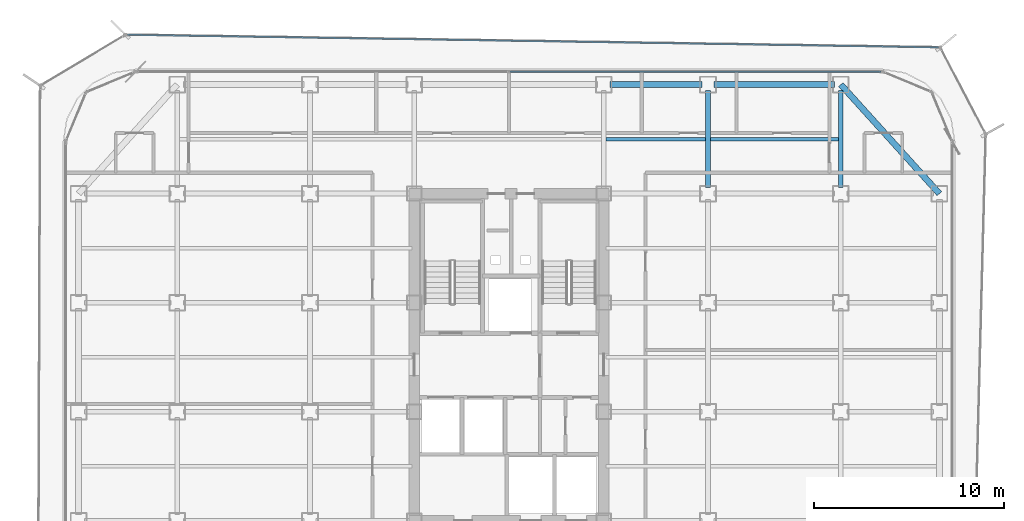
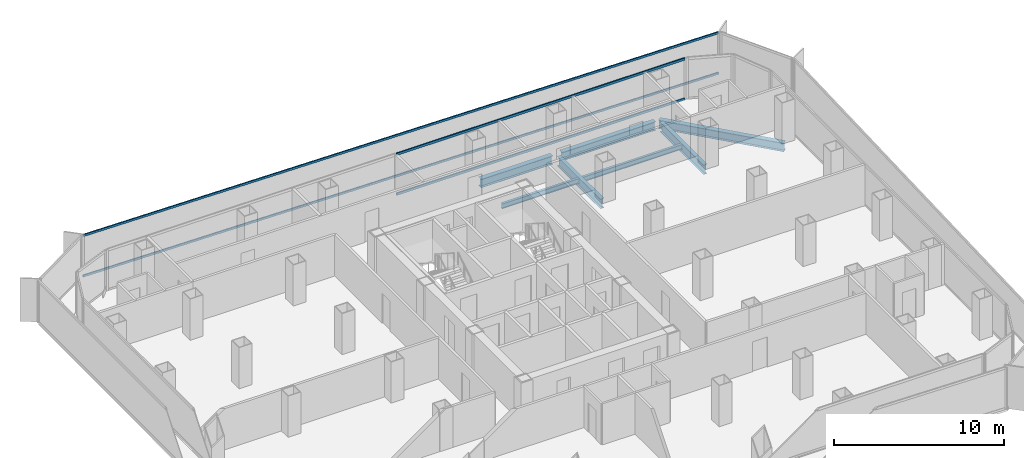
# One storey, part 13 of 21: 7 beams, 4 members, 2 elements without a shape of their own.
"""IFC4 building model written with IfcOpenShell, lengths in metres."""

from ifc_helpers import new_model, si_unit, direction, frame, origin, origin_2d, place, context, subcontext, project, spatial, hollow_rectangle, i_section, extrude, source, transform, mapped, material, layer, layer_set, material_profile, profile_set, type_object, element, aggregate, save


model = new_model("IFC4")

# Units and contexts
model_context = context("Model", 3, precision=1e-05, world=origin(), true_north=direction((0.0, 1.0)))
body_context = subcontext(model_context, "Body", "Model", "MODEL_VIEW")
ifc_project = project(units=[si_unit("LENGTHUNIT", "METRE"), si_unit("AREAUNIT", "SQUARE_METRE"), si_unit("VOLUMEUNIT", "CUBIC_METRE"), si_unit("PLANEANGLEUNIT", "RADIAN"), si_unit("MASSUNIT", "GRAM", prefix="KILO")], contexts=[model_context])

# Site, building, storey
site_placement = place(None, origin())
site = spatial("IfcSite", under=ifc_project, at=site_placement, CompositionType="ELEMENT")
building_placement = place(site_placement, origin())
building = spatial("IfcBuilding", under=site, at=building_placement, Name="Kolveth Station Tower", CompositionType="ELEMENT")
storey_placement = place(building_placement, frame((0.0, 0.0, 134.300048828125)))
storey = spatial("IfcBuildingStorey", under=building, at=storey_placement, Name="L37", CompositionType="ELEMENT", Elevation=134.300048828125)

# Beams
ifc_material_1 = material(Name="Steel S355", Category="steel")
ifc_material_profile_1 = material_profile(ifc_material_1, i_section(OverallWidth=0.323974609375, OverallDepth=0.611083984375, WebThickness=0.0126953125, FlangeThickness=0.01904296875, at=origin_2d()), Name="W610x155")
ifc_profile_set_1 = profile_set([ifc_material_profile_1], Name="Steel S355")
beam_type_1 = type_object("IfcBeamType", Name="Beam_SP2", PredefinedType="SPANDREL", material=ifc_profile_set_1)
shared_shape_1 = source(origin(), body_context, "Body", "SweptSolid", [
    extrude(i_section(OverallWidth=0.323974609375, OverallDepth=0.611083984375, WebThickness=0.0126953125, FlangeThickness=0.01904296875, at=origin_2d()), origin(), (0.0, 0.0, 1.0), 6.35986328125),
])
beam_1_placement = place(storey_placement, frame((34.320068359375, 34.5, -0.5556640625), z_axis=(1.0, 0.0, 0.0), x_axis=(0.0, 1.0, 0.0)))
element("IfcBeam", 1, at=beam_1_placement, inside=storey, type_object=beam_type_1, Name="L37 Perimeter Spandrel BM-L37-PN-5", PredefinedType="SPANDREL", context=body_context, shape_type="MappedRepresentation", body=[
    mapped(shared_shape_1, transform((0.0, 0.0, 0.0), x_axis=(1.0, 0.0, 0.0), y_axis=(0.0, 1.0, 0.0), z_axis=(0.0, 0.0, 1.0), scale=1.0)),
])
shared_shape_2 = source(origin(), body_context, "Body", "SweptSolid", [
    extrude(i_section(OverallWidth=0.323974609375, OverallDepth=0.611083984375, WebThickness=0.0126953125, FlangeThickness=0.01904296875, at=origin_2d()), origin(), (0.0, 0.0, 1.0), 4.85986328125),
])
beam_2_placement = place(storey_placement, frame((28.820068359375, 34.5, -0.5556640625), z_axis=(1.0, 0.0, 0.0), x_axis=(0.0, 1.0, 0.0)))
element("IfcBeam", 2, at=beam_2_placement, inside=storey, type_object=beam_type_1, Name="L37 Perimeter Spandrel BM-L37-PN-4", PredefinedType="SPANDREL", context=body_context, shape_type="MappedRepresentation", body=[
    mapped(shared_shape_2, transform((0.0, 0.0, 0.0), x_axis=(1.0, 0.0, 0.0), y_axis=(0.0, 1.0, 0.0), z_axis=(0.0, 0.0, 1.0), scale=1.0)),
])
shared_shape_3 = source(origin(), body_context, "Body", "SweptSolid", [
    extrude(i_section(OverallWidth=0.323974609375, OverallDepth=0.611083984375, WebThickness=0.0126953125, FlangeThickness=0.01904296875, at=origin_2d()), origin(), (0.0, 0.0, 1.0), 7.75244140625),
])
beam_3_placement = place(storey_placement, frame((46.199951171875, 28.75, -0.5556640625), z_axis=(-0.670740965555, 0.74169168603, 0.0), x_axis=(-0.74169168603, -0.670740965555, 0.0)))
element("IfcBeam", 3, at=beam_3_placement, inside=storey, type_object=beam_type_1, Name="L37 Corner Edge Girder BM-L37-CNR-NE", PredefinedType="SPANDREL", context=body_context, shape_type="MappedRepresentation", body=[
    mapped(shared_shape_3, transform((0.0, 0.0, 0.0), x_axis=(1.0, 0.0, 0.0), y_axis=(0.0, 1.0, 0.0), z_axis=(0.0, 0.0, 1.0), scale=1.0)),
])
ifc_material_profile_2 = material_profile(ifc_material_1, i_section(OverallWidth=0.25390625, OverallDepth=0.68798828125, WebThickness=0.01318359375, FlangeThickness=0.02099609375, at=origin_2d()), Name="W690x152")
ifc_profile_set_2 = profile_set([ifc_material_profile_2], Name="Steel S355")
beam_type_2 = type_object("IfcBeamType", Name="Beam_B4", PredefinedType="BEAM", material=ifc_profile_set_2)
shared_shape_4 = source(origin(), body_context, "Body", "SweptSolid", [
    extrude(i_section(OverallWidth=0.25390625, OverallDepth=0.68798828125, WebThickness=0.01318359375, FlangeThickness=0.02099609375, at=origin_2d()), origin(), (0.0, 0.0, 1.0), 5.10986328125),
])
for number, where, z_axis, x_axis, name in (
    (4, (34.0, 29.070068359375, -0.593994140625), (0.0, 1.0, 0.0), (-1.0, 0.0, 0.0), "L37 Primary Girder BM-L37-GX340-6"),
    (5, (41.0, 29.070068359375, -0.593994140625), (0.0, 1.0, 0.0), (-1.0, 0.0, 0.0), "L37 Primary Girder BM-L37-GX410-6"),
):
    element("IfcBeam", number, at=place(storey_placement, frame(where, z_axis=z_axis, x_axis=x_axis)), inside=storey, type_object=beam_type_2, Name=name, PredefinedType="BEAM", context=body_context, shape_type="MappedRepresentation", body=[
        mapped(shared_shape_4, transform((0.0, 0.0, 0.0), x_axis=(1.0, 0.0, 0.0), y_axis=(0.0, 1.0, 0.0), z_axis=(0.0, 0.0, 1.0), scale=1.0)),
    ])
ifc_material_profile_3 = material_profile(ifc_material_1, i_section(OverallWidth=0.1708984375, OverallDepth=0.35205078125, WebThickness=0.0068359375, FlangeThickness=0.009765625, at=origin_2d()), Name="W360x44")
ifc_profile_set_3 = profile_set([ifc_material_profile_3], Name="Steel S355")
beam_type_3 = type_object("IfcBeamType", Name="Beam_J2", PredefinedType="JOIST", material=ifc_profile_set_3)
shared_shape_5 = source(origin(), body_context, "Body", "SweptSolid", [
    extrude(i_section(OverallWidth=0.1708984375, OverallDepth=0.35205078125, WebThickness=0.0068359375, FlangeThickness=0.009765625, at=origin_2d()), origin(), (0.0, 0.0, 1.0), 6.75),
])
beam_4_placement = place(storey_placement, frame((34.125, 31.625, -0.426025390625), z_axis=(1.0, 0.0, 0.0), x_axis=(0.0, 1.0, 0.0)))
element("IfcBeam", 6, at=beam_4_placement, inside=storey, type_object=beam_type_3, Name="L37 Secondary Joist JST-L37-6-6", PredefinedType="JOIST", context=body_context, shape_type="MappedRepresentation", body=[
    mapped(shared_shape_5, transform((0.0, 0.0, 0.0), x_axis=(1.0, 0.0, 0.0), y_axis=(0.0, 1.0, 0.0), z_axis=(0.0, 0.0, 1.0), scale=1.0)),
])
shared_shape_6 = source(origin(), body_context, "Body", "SweptSolid", [
    extrude(i_section(OverallWidth=0.1708984375, OverallDepth=0.35205078125, WebThickness=0.0068359375, FlangeThickness=0.009765625, at=origin_2d()), origin(), (0.0, 0.0, 1.0), 5.25),
])
beam_5_placement = place(storey_placement, frame((28.625, 31.625, -0.426025390625), z_axis=(1.0, 0.0, 0.0), x_axis=(0.0, 1.0, 0.0)))
element("IfcBeam", 7, at=beam_5_placement, inside=storey, type_object=beam_type_3, Name="L37 Secondary Joist JST-L37-5-6", PredefinedType="JOIST", context=body_context, shape_type="MappedRepresentation", body=[
    mapped(shared_shape_6, transform((0.0, 0.0, 0.0), x_axis=(1.0, 0.0, 0.0), y_axis=(0.0, 1.0, 0.0), z_axis=(0.0, 0.0, 1.0), scale=1.0)),
])

# Curtain wall, members
ifc_material_2 = material(Name="Aluminium 6063-T6 and low-E dark glass", Category="aluminium")
ifc_layer_1 = layer(ifc_material_2, 0.18994140625)
ifc_layer_set_1 = layer_set([ifc_layer_1], Name="Aluminium 6063-T6 and low-E dark glass")
curtain_wall_type_1 = type_object("IfcCurtainWallType", Name="CurtainWall_CW-Z2", PredefinedType="NOTDEFINED", material=ifc_layer_set_1)
curtain_wall_1_placement = place(storey_placement, origin())
curtain_wall_1 = element("IfcCurtainWall", 8, at=curtain_wall_1_placement, inside=storey, type_object=curtain_wall_type_1, Name="L37 Inner Thermal Curtain Wall 6", PredefinedType="NOTDEFINED")
ifc_material_3 = material(Name="Black anodized aluminium 6063-T6", Category="aluminium")
ifc_material_profile_4 = material_profile(ifc_material_3, hollow_rectangle(XDim=0.080078125, YDim=0.169921875, WallThickness=0.0048828125, at=origin_2d()), Name="ALU-80x170x5")
ifc_profile_set_4 = profile_set([ifc_material_profile_4], Name="Black anodized aluminium 6063-T6")
member_type_1 = type_object("IfcMemberType", Name="Transom_TR2", PredefinedType="USERDEFINED", material=ifc_profile_set_4)
shared_shape_7 = source(origin(), body_context, "Body", "SweptSolid", [
    extrude(hollow_rectangle(XDim=0.080078125, YDim=0.169921875, WallThickness=0.0048828125, at=origin_2d()), origin(), (0.0, 0.0, 1.0), 19.580078125),
])
member_1_placement = place(storey_placement, frame((43.1201171875, 35.179931640625, 0.0400390625), z_axis=(-1.0, 0.0, 0.0), x_axis=(0.0, -1.0, 0.0)))
member_1 = element("IfcMember", 9, at=member_1_placement, type_object=member_type_1, Name="CW-Z2 transom 1.1", ObjectType="TRANSOM", PredefinedType="USERDEFINED", context=body_context, shape_type="MappedRepresentation", body=[
    mapped(shared_shape_7, transform((0.0, 0.0, 0.0), x_axis=(1.0, 0.0, 0.0), y_axis=(0.0, 1.0, 0.0), z_axis=(0.0, 0.0, 1.0), scale=1.0)),
])
member_2_placement = place(storey_placement, frame((43.1201171875, 35.179931640625, 2.909912109375), z_axis=(-1.0, 0.0, 0.0), x_axis=(0.0, -1.0, 0.0)))
member_2 = element("IfcMember", 10, at=member_2_placement, type_object=member_type_1, Name="CW-Z2 transom 1.2", ObjectType="TRANSOM", PredefinedType="USERDEFINED", context=body_context, shape_type="MappedRepresentation", body=[
    mapped(shared_shape_7, transform((0.0, 0.0, 0.0), x_axis=(1.0, 0.0, 0.0), y_axis=(0.0, 1.0, 0.0), z_axis=(0.0, 0.0, 1.0), scale=1.0)),
])
aggregate(curtain_wall_1, [member_1, member_2])

ifc_material_4 = material(Name="Black anodized aluminium 6063-T6 and dark solar glass", Category="aluminium")
ifc_layer_2 = layer(ifc_material_4, 0.159912109375)
ifc_layer_set_2 = layer_set([ifc_layer_2], Name="Black anodized aluminium 6063-T6 and dark solar glass")
curtain_wall_type_2 = type_object("IfcCurtainWallType", Name="OUTER SKIN CW-OS", PredefinedType="NOTDEFINED", material=ifc_layer_set_2)
curtain_wall_2_placement = place(storey_placement, origin())
curtain_wall_2 = element("IfcCurtainWall", 11, at=curtain_wall_2_placement, inside=storey, type_object=curtain_wall_type_2, Name="L37 Outer Ventilated Skin Curtain Wall 4", PredefinedType="NOTDEFINED")
ifc_material_profile_5 = material_profile(ifc_material_3, hollow_rectangle(XDim=0.080078125, YDim=0.14990234375, WallThickness=0.0048828125, at=origin_2d()), Name="ALU-80x150x5")
ifc_profile_set_5 = profile_set([ifc_material_profile_5], Name="Black anodized aluminium 6063-T6")
member_type_2 = type_object("IfcMemberType", Name="Transom_TR-OS", PredefinedType="USERDEFINED", material=ifc_profile_set_5)
shared_shape_8 = source(origin(), body_context, "Body", "SweptSolid", [
    extrude(hollow_rectangle(XDim=0.080078125, YDim=0.14990234375, WallThickness=0.0048828125, at=origin_2d()), origin(), (0.0, 0.0, 1.0), 42.79638671875),
])
member_3_placement = place(storey_placement, frame((46.1572265625, 36.465576171875, 0.0400390625), z_axis=(-0.999879607526, 0.015516779723, 0.0), x_axis=(-0.015516779723, -0.999879607526, 0.0)))
member_3 = element("IfcMember", 12, at=member_3_placement, type_object=member_type_2, Name="CW-OS transom 1.1", ObjectType="TRANSOM", PredefinedType="USERDEFINED", context=body_context, shape_type="MappedRepresentation", body=[
    mapped(shared_shape_8, transform((0.0, 0.0, 0.0), x_axis=(1.0, 0.0, 0.0), y_axis=(0.0, 1.0, 0.0), z_axis=(0.0, 0.0, 1.0), scale=1.0)),
])
member_4_placement = place(storey_placement, frame((46.1572265625, 36.465576171875, 2.949951171875), z_axis=(-0.999879607526, 0.015516779723, 0.0), x_axis=(-0.015516779723, -0.999879607526, 0.0)))
member_4 = element("IfcMember", 13, at=member_4_placement, type_object=member_type_2, Name="CW-OS transom 1.2", ObjectType="TRANSOM", PredefinedType="USERDEFINED", context=body_context, shape_type="MappedRepresentation", body=[
    mapped(shared_shape_8, transform((0.0, 0.0, 0.0), x_axis=(1.0, 0.0, 0.0), y_axis=(0.0, 1.0, 0.0), z_axis=(0.0, 0.0, 1.0), scale=1.0)),
])
aggregate(curtain_wall_2, [member_3, member_4])

save(model, "model.ifc")
